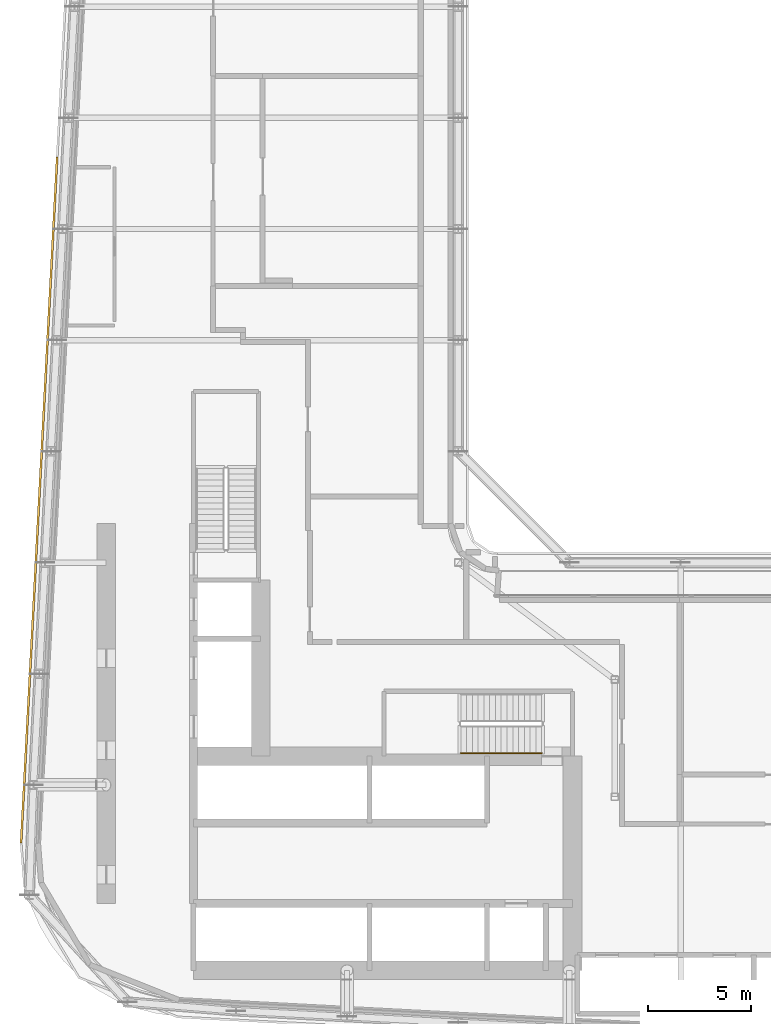
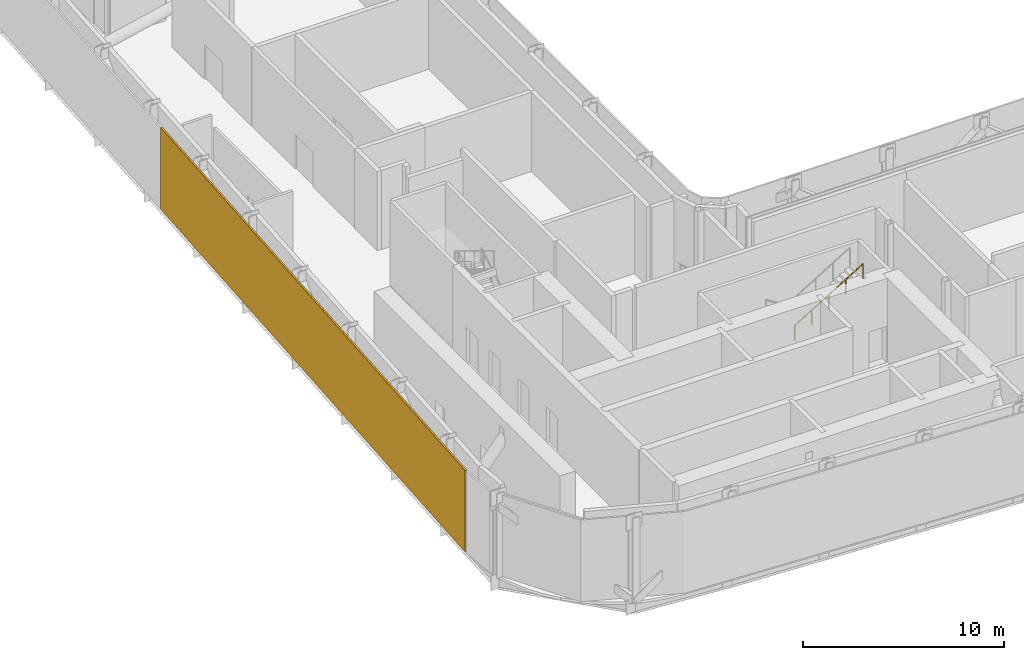
# One storey, part 24 of 30: 1 railing, 1 shading device.
"""IFC4 building model written with IfcOpenShell, lengths in metres."""

from ifc_helpers import new_model, si_unit, direction, frame, origin, origin_2d, place, context, subcontext, project, spatial, rectangle, circle, extrude, material, layer, layer_set, type_object, element, save


model = new_model("IFC4")

# Units and contexts
model_context = context("Model", 3, precision=1e-05, world=origin(), true_north=direction((0.0, 1.0)))
body_context = subcontext(model_context, "Body", "Model", "MODEL_VIEW")
ifc_project = project(units=[si_unit("LENGTHUNIT", "METRE"), si_unit("AREAUNIT", "SQUARE_METRE"), si_unit("VOLUMEUNIT", "CUBIC_METRE"), si_unit("PLANEANGLEUNIT", "RADIAN"), si_unit("MASSUNIT", "GRAM", prefix="KILO")], contexts=[model_context])

# Site, building, storey
site_placement = place(None, origin())
site = spatial("IfcSite", under=ifc_project, at=site_placement, CompositionType="ELEMENT")
building_placement = place(site_placement, origin())
building = spatial("IfcBuilding", under=site, at=building_placement, Name="Kheshtan School and Residences Tower", CompositionType="ELEMENT")
storey_placement = place(building_placement, frame((0.0, 0.0, 89.0)))
storey = spatial("IfcBuildingStorey", under=building, at=storey_placement, Name="L20", CompositionType="ELEMENT", Elevation=89.0)

# Shading device
ifc_material_1 = material(Name="Terracotta louvre blades", Category="masonry")
ifc_layer = layer(ifc_material_1, 0.10009765625)
ifc_layer_set = layer_set([ifc_layer], Name="Plant louvre screen")
shading_device_type = type_object("IfcShadingDeviceType", Name="Plant louvre screen", PredefinedType="JALOUSIE", material=ifc_layer_set)
shading_device_placement = place(storey_placement, frame((27.24609375, 48.638916015625, 0.0), z_axis=(0.0, 0.0, 1.0), x_axis=(0.052562536748, 0.998617634398, 0.0)))
element("IfcShadingDevice", 1, at=shading_device_placement, inside=storey, type_object=shading_device_type, Name="Screen L20 6", PredefinedType="JALOUSIE", context=body_context, shape_type="SweptSolid", body=[
    extrude(rectangle(XDim=33.341064453125, YDim=0.10009765625, at=origin_2d()), origin(), (0.0, 0.0, 1.0), 4.949951171875),
])

# Railing
ifc_material_2 = material(Name="Stainless steel handrail", Category="steel")
railing_type = type_object("IfcRailingType", Name="Stair handrail 900", PredefinedType="HANDRAIL", material=ifc_material_2)
railing_placement = place(storey_placement, frame((47.72998046875, 36.35009765625, 2.719970703125)))
element("IfcRailing", 2, at=railing_placement, inside=storey, type_object=railing_type, Name="L20 ST1 stair handrail 2", PredefinedType="HANDRAIL", context=body_context, shape_type="SweptSolid", body=[
    extrude(circle(Radius=0.02392578125, at=origin_2d()), frame((0.0, 0.0, 0.8759765625), z_axis=(0.854770645689, 0.0, 0.519005918337), x_axis=(0.0, 1.0, 0.0)), (0.0, 0.0, 1.0), 4.5859375),
    extrude(circle(Radius=0.02099609375, at=origin_2d()), origin(), (0.0, 0.0, 1.0), 0.851806640625),
    extrude(circle(Radius=0.02099609375, at=origin_2d()), frame((0.97998046875, 0.0, 0.594970703125)), (0.0, 0.0, 1.0), 0.851806640625),
    extrude(circle(Radius=0.02099609375, at=origin_2d()), frame((1.9599609375, 0.0, 1.18994140625)), (0.0, 0.0, 1.0), 0.851806640625),
    extrude(circle(Radius=0.02099609375, at=origin_2d()), frame((2.93994140625, 0.0, 1.78515625)), (0.0, 0.0, 1.0), 0.851806640625),
    extrude(circle(Radius=0.02099609375, at=origin_2d()), frame((3.919921875, 0.0, 2.380126953125)), (0.0, 0.0, 1.0), 0.851806640625),
])

save(model, "model.ifc")
